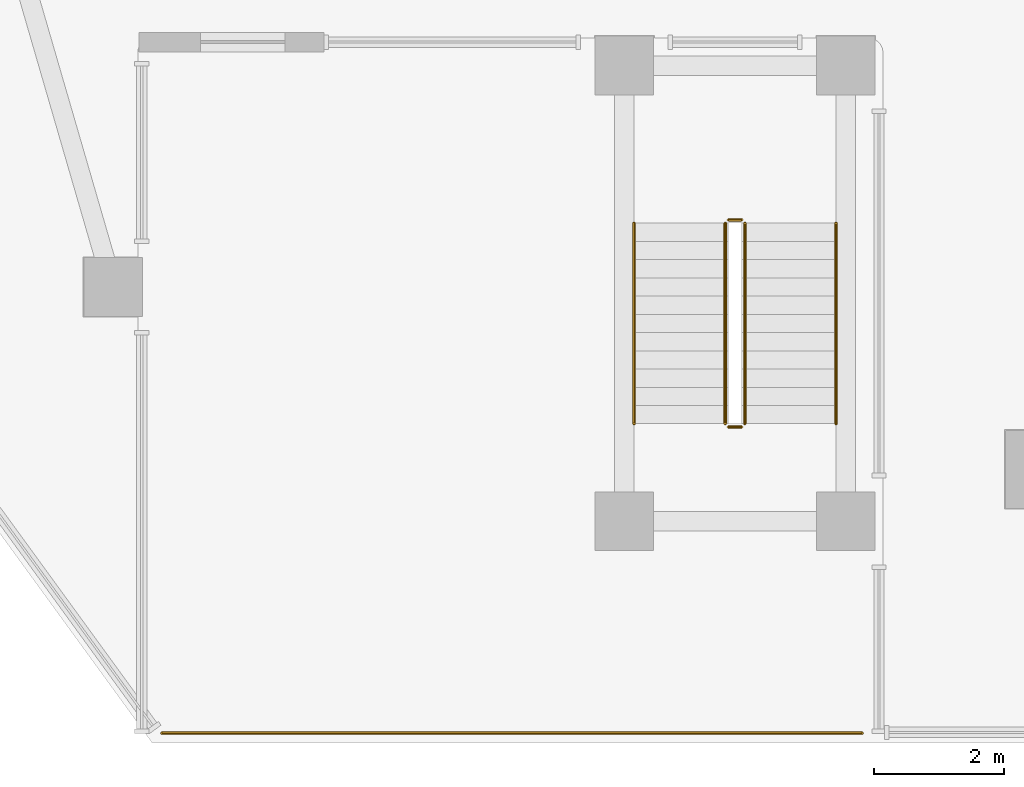
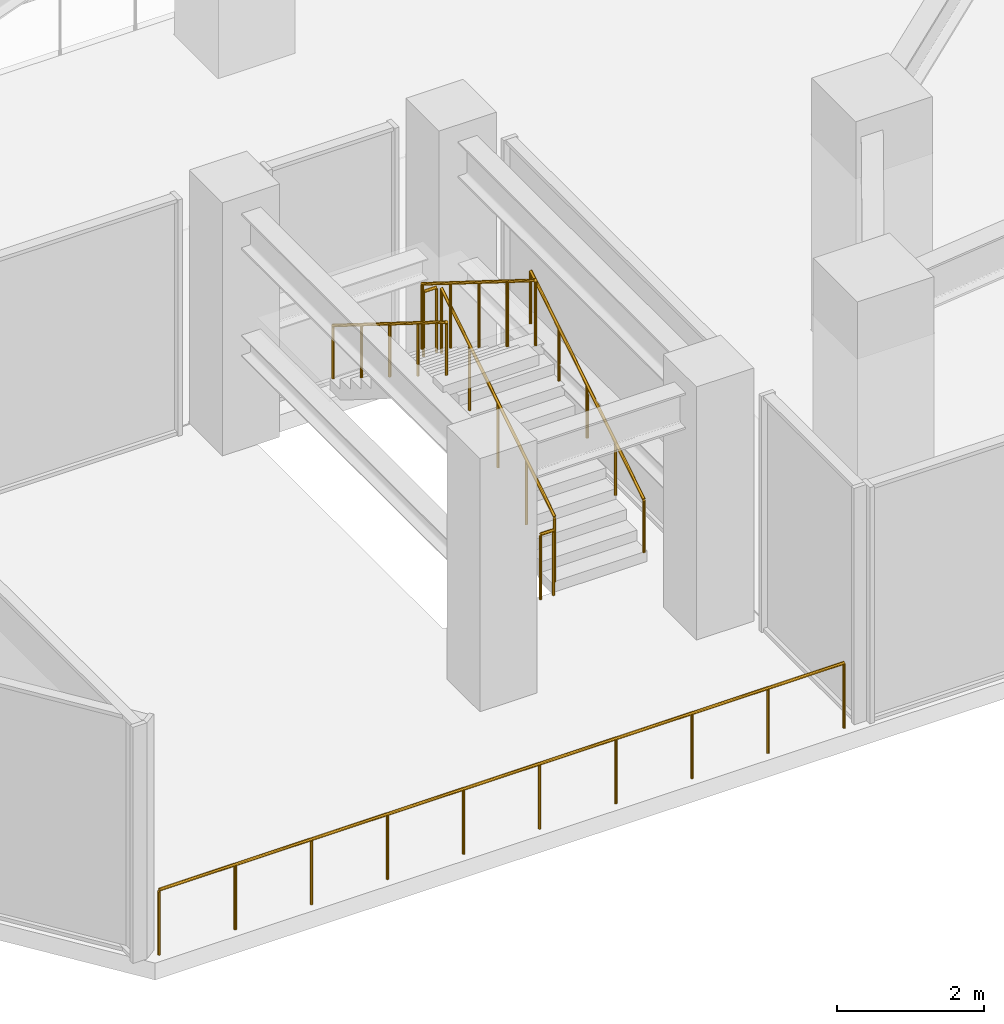
# One storey, part 14 of 22: 7 railings.
"""IFC4 building model written with IfcOpenShell, lengths in metres."""

from ifc_helpers import new_model, si_unit, direction, frame, origin, origin_2d, place, context, subcontext, project, spatial, circle, extrude, material, type_object, element, save


model = new_model("IFC4")

# Units and contexts
model_context = context("Model", 3, precision=1e-05, world=origin(), true_north=direction((0.0, 1.0)))
body_context = subcontext(model_context, "Body", "Model", "MODEL_VIEW")
ifc_project = project(units=[si_unit("LENGTHUNIT", "METRE"), si_unit("AREAUNIT", "SQUARE_METRE"), si_unit("VOLUMEUNIT", "CUBIC_METRE"), si_unit("PLANEANGLEUNIT", "RADIAN"), si_unit("MASSUNIT", "GRAM", prefix="KILO")], contexts=[model_context])

# Site, building, storey
site_placement = place(None, origin())
site = spatial("IfcSite", under=ifc_project, at=site_placement, CompositionType="ELEMENT")
building_placement = place(site_placement, origin())
building = spatial("IfcBuilding", under=site, at=building_placement, Name="Savorim Split Tower", CompositionType="ELEMENT")
storey_placement = place(building_placement, frame((0.0, 0.0, 13.39990234375)))
storey = spatial("IfcBuildingStorey", under=building, at=storey_placement, Name="L03", CompositionType="ELEMENT", Elevation=13.39990234375)

# Railings
ifc_material = material(Name="Galvanised Painted Steel Balustrade", Category="steel")
railing_type_1 = type_object("IfcRailingType", Name="RLG-BAL-1100", PredefinedType="BALUSTRADE", material=ifc_material)
railing_1_placement = place(storey_placement, frame((-36.050048828125, -28.050048828125, 0.0)))
element("IfcRailing", 1, at=railing_1_placement, inside=storey, type_object=railing_type_1, Name="L03 Open-Air Stepped Garden Stair Terrace Balustrade", PredefinedType="BALUSTRADE", context=body_context, shape_type="SweptSolid", body=[
    extrude(circle(Radius=0.02392578125, at=origin_2d()), frame((0.0, 0.0, 1.076171875), z_axis=(1.0, 0.0, 0.0), x_axis=(0.0, 1.0, 0.0)), (0.0, 0.0, 1.0), 10.75),
    extrude(circle(Radius=0.02099609375, at=origin_2d()), origin(), (0.0, 0.0, 1.0), 1.052001953125),
    extrude(circle(Radius=0.02099609375, at=origin_2d()), frame((1.1943359375, 0.0, 0.0)), (0.0, 0.0, 1.0), 1.052001953125),
    extrude(circle(Radius=0.02099609375, at=origin_2d()), frame((2.388916015625, 0.0, 0.0)), (0.0, 0.0, 1.0), 1.052001953125),
    extrude(circle(Radius=0.02099609375, at=origin_2d()), frame((3.583251953125, 0.0, 0.0)), (0.0, 0.0, 1.0), 1.052001953125),
    extrude(circle(Radius=0.02099609375, at=origin_2d()), frame((4.77783203125, 0.0, 0.0)), (0.0, 0.0, 1.0), 1.052001953125),
    extrude(circle(Radius=0.02099609375, at=origin_2d()), frame((5.97216796875, 0.0, 0.0)), (0.0, 0.0, 1.0), 1.052001953125),
    extrude(circle(Radius=0.02099609375, at=origin_2d()), frame((7.166748046875, 0.0, 0.0)), (0.0, 0.0, 1.0), 1.052001953125),
    extrude(circle(Radius=0.02099609375, at=origin_2d()), frame((8.361083984375, 0.0, 0.0)), (0.0, 0.0, 1.0), 1.052001953125),
    extrude(circle(Radius=0.02099609375, at=origin_2d()), frame((9.5556640625, 0.0, 0.0)), (0.0, 0.0, 1.0), 1.052001953125),
    extrude(circle(Radius=0.02099609375, at=origin_2d()), frame((10.75, 0.0, 0.0)), (0.0, 0.0, 1.0), 1.052001953125),
])
railing_type_2 = type_object("IfcRailingType", Name="RLG-HR-900", PredefinedType="HANDRAIL", material=ifc_material)
railing_2_placement = place(storey_placement, frame((-25.699951171875, -23.300048828125, 0.175048828125)))
element("IfcRailing", 2, at=railing_2_placement, inside=storey, type_object=railing_type_2, Name="L03 ST-GDN stair handrail 1", PredefinedType="HANDRAIL", context=body_context, shape_type="SweptSolid", body=[
    extrude(circle(Radius=0.02392578125, at=origin_2d()), frame((0.0, 0.0, 0.8759765625), z_axis=(0.0, 0.847998304005, 0.529998940003), x_axis=(-1.0, 0.0, 0.0)), (0.0, 0.0, 1.0), 3.632080078125),
    extrude(circle(Radius=0.02099609375, at=origin_2d()), origin(), (0.0, 0.0, 1.0), 0.851806640625),
    extrude(circle(Radius=0.02099609375, at=origin_2d()), frame((0.0, 0.77001953125, 0.481201171875)), (0.0, 0.0, 1.0), 0.851806640625),
    extrude(circle(Radius=0.02099609375, at=origin_2d()), frame((0.0, 1.5400390625, 0.96240234375)), (0.0, 0.0, 1.0), 0.851806640625),
    extrude(circle(Radius=0.02099609375, at=origin_2d()), frame((0.0, 2.31005859375, 1.44384765625)), (0.0, 0.0, 1.0), 0.851806640625),
    extrude(circle(Radius=0.02099609375, at=origin_2d()), frame((0.0, 3.080078125, 1.925048828125)), (0.0, 0.0, 1.0), 0.851806640625),
])
railing_3_placement = place(storey_placement, frame((-28.800048828125, -20.219970703125, 2.275146484375)))
element("IfcRailing", 3, at=railing_3_placement, inside=storey, type_object=railing_type_2, Name="L03 ST-GDN stair handrail 2", PredefinedType="HANDRAIL", context=body_context, shape_type="SweptSolid", body=[
    extrude(circle(Radius=0.02392578125, at=origin_2d()), frame((0.0, 0.0, 0.8759765625), z_axis=(0.0, -0.847998304005, 0.529998940003), x_axis=(1.0, 0.0, 0.0)), (0.0, 0.0, 1.0), 3.632080078125),
    extrude(circle(Radius=0.02099609375, at=origin_2d()), origin(), (0.0, 0.0, 1.0), 0.851806640625),
    extrude(circle(Radius=0.02099609375, at=origin_2d()), frame((0.0, -0.77001953125, 0.481201171875)), (0.0, 0.0, 1.0), 0.851806640625),
    extrude(circle(Radius=0.02099609375, at=origin_2d()), frame((0.0, -1.5400390625, 0.96240234375)), (0.0, 0.0, 1.0), 0.851806640625),
    extrude(circle(Radius=0.02099609375, at=origin_2d()), frame((0.0, -2.31005859375, 1.44384765625)), (0.0, 0.0, 1.0), 0.851806640625),
    extrude(circle(Radius=0.02099609375, at=origin_2d()), frame((0.0, -3.080078125, 1.925048828125)), (0.0, 0.0, 1.0), 0.851806640625),
])
railing_type_3 = type_object("IfcRailingType", Name="RLG-STG-1100", PredefinedType="BALUSTRADE", material=ifc_material)
railing_4_placement = place(storey_placement, frame((-27.10009765625, -23.300048828125, 0.175048828125)))
element("IfcRailing", 4, at=railing_4_placement, inside=storey, type_object=railing_type_3, Name="L03 ST-GDN stair guard 1", PredefinedType="BALUSTRADE", context=body_context, shape_type="SweptSolid", body=[
    extrude(circle(Radius=0.02392578125, at=origin_2d()), frame((0.0, 0.0, 1.076171875), z_axis=(0.0, 0.847998304005, 0.529998940003), x_axis=(-1.0, 0.0, 0.0)), (0.0, 0.0, 1.0), 3.632080078125),
    extrude(circle(Radius=0.02099609375, at=origin_2d()), origin(), (0.0, 0.0, 1.0), 1.052001953125),
    extrude(circle(Radius=0.02099609375, at=origin_2d()), frame((0.0, 0.77001953125, 0.481201171875)), (0.0, 0.0, 1.0), 1.052001953125),
    extrude(circle(Radius=0.02099609375, at=origin_2d()), frame((0.0, 1.5400390625, 0.96240234375)), (0.0, 0.0, 1.0), 1.052001953125),
    extrude(circle(Radius=0.02099609375, at=origin_2d()), frame((0.0, 2.31005859375, 1.44384765625)), (0.0, 0.0, 1.0), 1.052001953125),
    extrude(circle(Radius=0.02099609375, at=origin_2d()), frame((0.0, 3.080078125, 1.925048828125)), (0.0, 0.0, 1.0), 1.052001953125),
])
railing_5_placement = place(storey_placement, frame((-27.14990234375, -20.169921875, 2.10009765625)))
element("IfcRailing", 5, at=railing_5_placement, inside=storey, type_object=railing_type_3, Name="L03 ST-GDN stair guard 2", PredefinedType="BALUSTRADE", context=body_context, shape_type="SweptSolid", body=[
    extrude(circle(Radius=0.02392578125, at=origin_2d()), frame((0.0, 0.0, 1.076171875), z_axis=(-1.0, 0.0, 0.0), x_axis=(0.0, -1.0, 0.0)), (0.0, 0.0, 1.0), 0.2001953125),
    extrude(circle(Radius=0.02099609375, at=origin_2d()), origin(), (0.0, 0.0, 1.0), 1.052001953125),
    extrude(circle(Radius=0.02099609375, at=origin_2d()), frame((-0.2001953125, 0.0, 0.0)), (0.0, 0.0, 1.0), 1.052001953125),
])
railing_6_placement = place(storey_placement, frame((-27.39990234375, -20.219970703125, 2.275146484375)))
element("IfcRailing", 6, at=railing_6_placement, inside=storey, type_object=railing_type_3, Name="L03 ST-GDN stair guard 3", PredefinedType="BALUSTRADE", context=body_context, shape_type="SweptSolid", body=[
    extrude(circle(Radius=0.02392578125, at=origin_2d()), frame((0.0, 0.0, 1.076171875), z_axis=(0.0, -0.847998304005, 0.529998940003), x_axis=(1.0, 0.0, 0.0)), (0.0, 0.0, 1.0), 3.632080078125),
    extrude(circle(Radius=0.02099609375, at=origin_2d()), origin(), (0.0, 0.0, 1.0), 1.052001953125),
    extrude(circle(Radius=0.02099609375, at=origin_2d()), frame((0.0, -0.77001953125, 0.481201171875)), (0.0, 0.0, 1.0), 1.052001953125),
    extrude(circle(Radius=0.02099609375, at=origin_2d()), frame((0.0, -1.5400390625, 0.96240234375)), (0.0, 0.0, 1.0), 1.052001953125),
    extrude(circle(Radius=0.02099609375, at=origin_2d()), frame((0.0, -2.31005859375, 1.44384765625)), (0.0, 0.0, 1.0), 1.052001953125),
    extrude(circle(Radius=0.02099609375, at=origin_2d()), frame((0.0, -3.080078125, 1.925048828125)), (0.0, 0.0, 1.0), 1.052001953125),
])
railing_7_placement = place(storey_placement, frame((-27.14990234375, -23.35009765625, 0.0)))
element("IfcRailing", 7, at=railing_7_placement, inside=storey, type_object=railing_type_3, Name="L03 ST-GDN stair guard 4", PredefinedType="BALUSTRADE", context=body_context, shape_type="SweptSolid", body=[
    extrude(circle(Radius=0.02392578125, at=origin_2d()), frame((0.0, 0.0, 1.076171875), z_axis=(-1.0, 0.0, 0.0), x_axis=(0.0, -1.0, 0.0)), (0.0, 0.0, 1.0), 0.2001953125),
    extrude(circle(Radius=0.02099609375, at=origin_2d()), origin(), (0.0, 0.0, 1.0), 1.052001953125),
    extrude(circle(Radius=0.02099609375, at=origin_2d()), frame((-0.2001953125, 0.0, 0.0)), (0.0, 0.0, 1.0), 1.052001953125),
])

save(model, "model.ifc")
